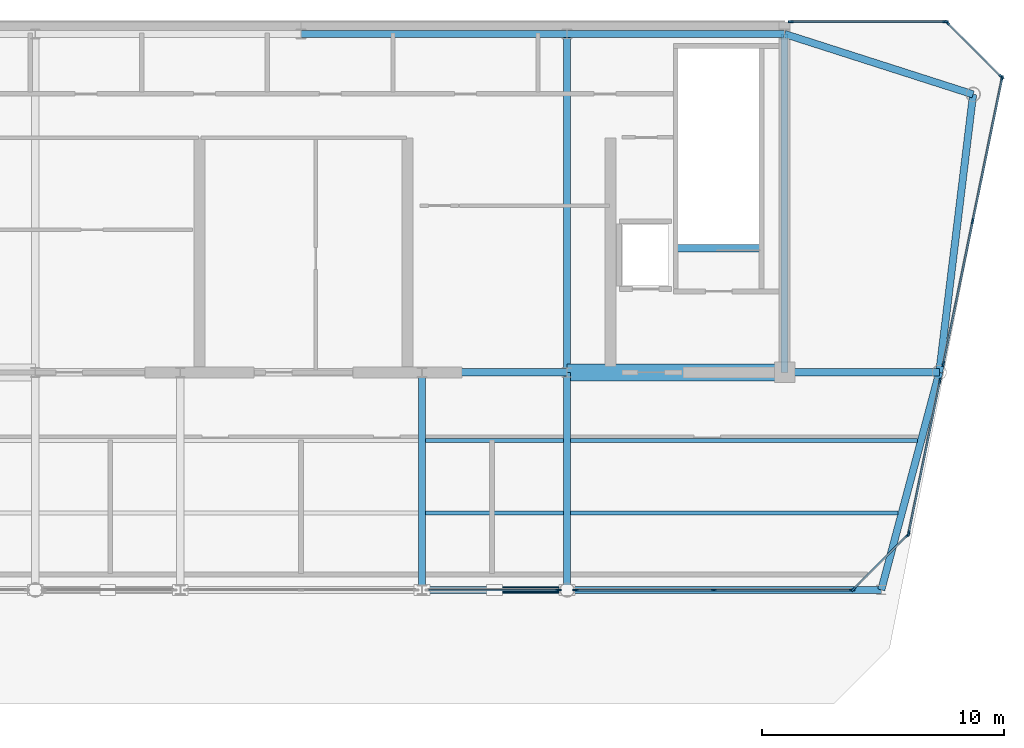
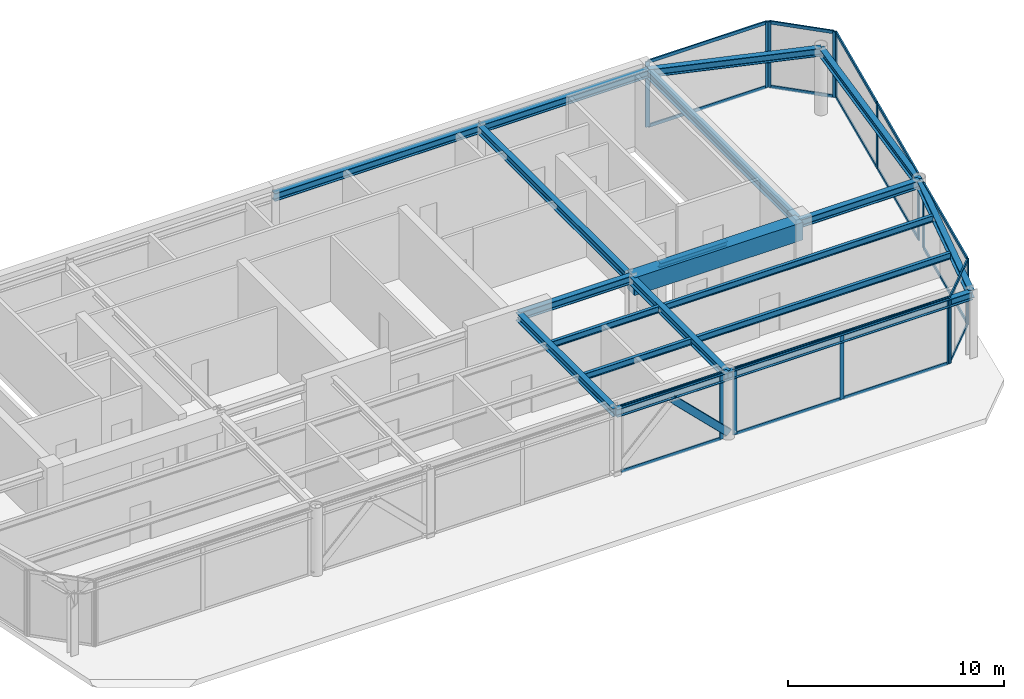
# One storey, part 4 of 7: 34 members, 19 beams, 7 elements without a shape of their own.
"""IFC4 building model written with IfcOpenShell, lengths in metres."""

from ifc_helpers import new_model, si_unit, direction, frame, origin, origin_2d, place, context, subcontext, project, spatial, rectangle, hollow_rectangle, i_section, extrude, source, transform, mapped, material, layer, layer_set, material_profile, profile_set, type_object, element, aggregate, save


model = new_model("IFC4")

# Units and contexts
model_context = context("Model", 3, precision=1e-05, world=origin(), true_north=direction((0.0, 1.0)))
body_context = subcontext(model_context, "Body", "Model", "MODEL_VIEW")
ifc_project = project(units=[si_unit("LENGTHUNIT", "METRE"), si_unit("AREAUNIT", "SQUARE_METRE"), si_unit("VOLUMEUNIT", "CUBIC_METRE"), si_unit("PLANEANGLEUNIT", "RADIAN"), si_unit("MASSUNIT", "GRAM", prefix="KILO")], contexts=[model_context])

# Site, building, storey
site_placement = place(None, origin())
site = spatial("IfcSite", under=ifc_project, at=site_placement, CompositionType="ELEMENT")
building_placement = place(site_placement, origin())
building = spatial("IfcBuilding", under=site, at=building_placement, Name="Vaeldorn Concourse Tower", CompositionType="ELEMENT")
storey_placement = place(building_placement, frame((0.0, 0.0, 312.800048828125)))
storey = spatial("IfcBuildingStorey", under=building, at=storey_placement, Name="L80", CompositionType="ELEMENT", Elevation=312.800048828125)

# Beams
ifc_material_1 = material(Name="Concrete C50/60", Category="concrete")
ifc_material_profile_1 = material_profile(ifc_material_1, rectangle(XDim=0.699951171875, YDim=1.0, at=origin_2d()), Name="RC 700x1000")
ifc_profile_set_1 = profile_set([ifc_material_profile_1], Name="Concrete C50/60")
beam_type_1 = type_object("IfcBeamType", Name="BM-CB-RC700", PredefinedType="BEAM", material=ifc_profile_set_1)
shared_shape_1 = source(origin(), body_context, "Body", "SweptSolid", [
    extrude(rectangle(XDim=0.699951171875, YDim=1.0, at=origin_2d()), origin(), (0.0, 0.0, 1.0), 9.0),
])
beam_1_placement = place(storey_placement, frame((45.0, 36.5, 3.199951171875), z_axis=(1.0, 0.0, 0.0), x_axis=(0.0, 1.0, 0.0)))
element("IfcBeam", 1, at=beam_1_placement, inside=storey, type_object=beam_type_1, Name="Core Coupling Beam L80-2", PredefinedType="BEAM", context=body_context, shape_type="MappedRepresentation", body=[
    mapped(shared_shape_1, transform((0.0, 0.0, 0.0), scale=1.0)),
])
ifc_material_2 = material(Name="Steel S355", Category="steel")
ifc_material_profile_2 = material_profile(ifc_material_2, i_section(OverallWidth=0.300048828125, OverallDepth=0.449951171875, WebThickness=0.013916015625, FlangeThickness=0.02587890625, FilletRadius=0.027099609375, at=origin_2d()), Name="HEB 450")
ifc_profile_set_2 = profile_set([ifc_material_profile_2], Name="Steel S355")
beam_type_2 = type_object("IfcBeamType", Name="BM-PG-HEB450", PredefinedType="BEAM", material=ifc_profile_set_2)
shared_shape_2 = source(origin(), body_context, "Body", "SweptSolid", [
    extrude(i_section(OverallWidth=0.300048828125, OverallDepth=0.449951171875, WebThickness=0.013916015625, FlangeThickness=0.02587890625, FilletRadius=0.027099609375, at=origin_2d()), origin(), (0.0, 0.0, 1.0), 6.0),
])
for number, where, z_axis, x_axis, name in (
    (2, (39.0, 36.5, 3.474853515625), (1.0, 0.0, 0.0), (0.0, 1.0, 0.0), "Beam BM-L80-C-FC4-C-FC5"),
    (3, (39.0, 27.5, 3.474853515625), (1.0, 0.0, 0.0), (0.0, 1.0, 0.0), "Beam BM-L80-C-TW3-C-TW4"),
):
    element("IfcBeam", number, at=place(storey_placement, frame(where, z_axis=z_axis, x_axis=x_axis)), inside=storey, type_object=beam_type_2, Name=name, PredefinedType="BEAM", context=body_context, shape_type="MappedRepresentation", body=[
        mapped(shared_shape_2, transform((0.0, 0.0, 0.0), scale=1.0)),
    ])
shared_shape_3 = source(origin(), body_context, "Body", "SweptSolid", [
    extrude(i_section(OverallWidth=0.300048828125, OverallDepth=0.449951171875, WebThickness=0.013916015625, FlangeThickness=0.02587890625, FilletRadius=0.027099609375, at=origin_2d()), origin(), (0.0, 0.0, 1.0), 11.0),
])
beam_2_placement = place(storey_placement, frame((34.0, 50.5, 3.474853515625), z_axis=(1.0, 0.0, 0.0), x_axis=(0.0, 1.0, 0.0)))
element("IfcBeam", 4, at=beam_2_placement, inside=storey, type_object=beam_type_2, Name="Beam BM-L80-C-HC3-C-HC4", PredefinedType="BEAM", context=body_context, shape_type="MappedRepresentation", body=[
    mapped(shared_shape_3, transform((0.0, 0.0, 0.0), scale=1.0)),
])
ifc_material_profile_3 = material_profile(ifc_material_2, i_section(OverallWidth=0.300048828125, OverallDepth=0.340087890625, WebThickness=0.011962890625, FlangeThickness=0.021484375, FilletRadius=0.027099609375, at=origin_2d()), Name="HEB 340")
ifc_profile_set_3 = profile_set([ifc_material_profile_3], Name="Steel S355")
beam_type_3 = type_object("IfcBeamType", Name="BM-ST-TRIM", PredefinedType="BEAM", material=ifc_profile_set_3)
shared_shape_4 = source(origin(), body_context, "Body", "SweptSolid", [
    extrude(i_section(OverallWidth=0.300048828125, OverallDepth=0.340087890625, WebThickness=0.011962890625, FlangeThickness=0.021484375, FilletRadius=0.027099609375, at=origin_2d()), origin(), (0.0, 0.0, 1.0), 3.590087890625),
])
beam_3_placement = place(storey_placement, frame((49.47998046875, 41.639892578125, -0.469970703125), z_axis=(1.0, 0.0, 0.0), x_axis=(0.0, 1.0, 0.0)))
element("IfcBeam", 5, at=beam_3_placement, inside=storey, type_object=beam_type_3, Name="Stair Landing Trimmer Beam ST-2 L80", PredefinedType="BEAM", context=body_context, shape_type="MappedRepresentation", body=[
    mapped(shared_shape_4, transform((0.0, 0.0, 0.0), scale=1.0)),
])
ifc_material_profile_4 = material_profile(ifc_material_2, i_section(OverallWidth=0.169921875, OverallDepth=0.360107421875, WebThickness=0.008056640625, FlangeThickness=0.0126953125, FilletRadius=0.01806640625, at=origin_2d()), Name="IPE 360")
ifc_profile_set_4 = profile_set([ifc_material_profile_4], Name="Steel S355")
beam_type_4 = type_object("IfcBeamType", Name="BM-JS-IPE360", PredefinedType="JOIST", material=ifc_profile_set_4)
shared_shape_5 = source(origin(), body_context, "Body", "SweptSolid", [
    extrude(i_section(OverallWidth=0.169921875, OverallDepth=0.360107421875, WebThickness=0.008056640625, FlangeThickness=0.0126953125, FilletRadius=0.01806640625, at=origin_2d()), origin(), (0.0, 0.0, 1.0), 5.7001953125),
])
for number, where, z_axis, x_axis, name in (
    (6, (39.14990234375, 30.679931640625, 3.52001953125), (1.0, 0.0, 0.0), (0.0, 1.0, 0.0), "Beam JS-L80-E2-306"),
    (7, (39.14990234375, 33.679931640625, 3.52001953125), (1.0, 0.0, 0.0), (0.0, 1.0, 0.0), "Beam JS-L80-E2-336"),
):
    element("IfcBeam", number, at=place(storey_placement, frame(where, z_axis=z_axis, x_axis=x_axis)), inside=storey, type_object=beam_type_4, Name=name, PredefinedType="JOIST", context=body_context, shape_type="MappedRepresentation", body=[
        mapped(shared_shape_5, transform((0.0, 0.0, 0.0), scale=1.0)),
    ])
shared_shape_6 = source(origin(), body_context, "Body", "SweptSolid", [
    extrude(i_section(OverallWidth=0.169921875, OverallDepth=0.360107421875, WebThickness=0.008056640625, FlangeThickness=0.0126953125, FilletRadius=0.01806640625, at=origin_2d()), origin(), (0.0, 0.0, 1.0), 13.548095703125),
])
beam_4_placement = place(storey_placement, frame((45.14990234375, 30.679931640625, 3.52001953125), z_axis=(1.0, 0.0, 0.0), x_axis=(0.0, 1.0, 0.0)))
element("IfcBeam", 8, at=beam_4_placement, inside=storey, type_object=beam_type_4, Name="Beam JS-L80-E1-306", PredefinedType="JOIST", context=body_context, shape_type="MappedRepresentation", body=[
    mapped(shared_shape_6, transform((0.0, 0.0, 0.0), scale=1.0)),
])
shared_shape_7 = source(origin(), body_context, "Body", "SweptSolid", [
    extrude(i_section(OverallWidth=0.169921875, OverallDepth=0.360107421875, WebThickness=0.008056640625, FlangeThickness=0.0126953125, FilletRadius=0.01806640625, at=origin_2d()), origin(), (0.0, 0.0, 1.0), 14.34814453125),
])
beam_5_placement = place(storey_placement, frame((45.14990234375, 33.679931640625, 3.52001953125), z_axis=(1.0, 0.0, 0.0), x_axis=(0.0, 1.0, 0.0)))
element("IfcBeam", 9, at=beam_5_placement, inside=storey, type_object=beam_type_4, Name="Beam JS-L80-E1-336", PredefinedType="JOIST", context=body_context, shape_type="MappedRepresentation", body=[
    mapped(shared_shape_7, transform((0.0, 0.0, 0.0), scale=1.0)),
])
shared_shape_8 = source(origin(), body_context, "Body", "SweptSolid", [
    extrude(i_section(OverallWidth=0.300048828125, OverallDepth=0.449951171875, WebThickness=0.013916015625, FlangeThickness=0.02587890625, FilletRadius=0.027099609375, at=origin_2d()), origin(), (0.0, 0.0, 1.0), 9.0),
])
for number, where, z_axis, x_axis, name in (
    (10, (45.0, 50.5, 3.474853515625), (1.0, 0.0, 0.0), (0.0, 1.0, 0.0), "Beam BM-L80-C-HC4-C-HC5"),
    (11, (39.0, 27.5, 3.474853515625), (0.0, 1.0, 0.0), (-1.0, 0.0, 0.0), "Beam BM-L80-C-TW3-C-FC4"),
    (12, (45.0, 27.5, 3.474853515625), (0.0, 1.0, 0.0), (-1.0, 0.0, 0.0), "Beam BM-L80-C-TW4-C-FC5"),
):
    element("IfcBeam", number, at=place(storey_placement, frame(where, z_axis=z_axis, x_axis=x_axis)), inside=storey, type_object=beam_type_2, Name=name, PredefinedType="BEAM", context=body_context, shape_type="MappedRepresentation", body=[
        mapped(shared_shape_8, transform((0.0, 0.0, 0.0), scale=1.0)),
    ])
shared_shape_9 = source(origin(), body_context, "Body", "SweptSolid", [
    extrude(i_section(OverallWidth=0.300048828125, OverallDepth=0.449951171875, WebThickness=0.013916015625, FlangeThickness=0.02587890625, FilletRadius=0.027099609375, at=origin_2d()), origin(), (0.0, 0.0, 1.0), 14.0),
])
for number, where, z_axis, x_axis, name in (
    (13, (45.0, 36.5, 3.474853515625), (0.0, 1.0, 0.0), (-1.0, 0.0, 0.0), "Beam BM-L80-C-FC5-C-HC4"),
    (14, (54.0, 36.5, 3.474853515625), (0.0, 1.0, 0.0), (-1.0, 0.0, 0.0), "Beam BM-L80-C-FC6-C-HC5"),
):
    element("IfcBeam", number, at=place(storey_placement, frame(where, z_axis=z_axis, x_axis=x_axis)), inside=storey, type_object=beam_type_2, Name=name, PredefinedType="BEAM", context=body_context, shape_type="MappedRepresentation", body=[
        mapped(shared_shape_9, transform((0.0, 0.0, 0.0), scale=1.0)),
    ])
shared_shape_10 = source(origin(), body_context, "Body", "SweptSolid", [
    extrude(i_section(OverallWidth=0.300048828125, OverallDepth=0.449951171875, WebThickness=0.013916015625, FlangeThickness=0.02587890625, FilletRadius=0.027099609375, at=origin_2d()), origin(), (0.0, 0.0, 1.0), 8.19091796875),
])
beam_6_placement = place(storey_placement, frame((54.0, 50.5, 3.474853515625), z_axis=(0.952282843383, -0.305216949396, 0.0), x_axis=(0.305216949396, 0.952282843383, 0.0)))
element("IfcBeam", 15, at=beam_6_placement, inside=storey, type_object=beam_type_2, Name="Beam BM-L80-C-HC5-C-NE1", PredefinedType="BEAM", context=body_context, shape_type="MappedRepresentation", body=[
    mapped(shared_shape_10, transform((0.0, 0.0, 0.0), scale=1.0)),
])
shared_shape_11 = source(origin(), body_context, "Body", "SweptSolid", [
    extrude(i_section(OverallWidth=0.300048828125, OverallDepth=0.449951171875, WebThickness=0.013916015625, FlangeThickness=0.02587890625, FilletRadius=0.027099609375, at=origin_2d()), origin(), (0.0, 0.0, 1.0), 11.5849609375),
])
beam_7_placement = place(storey_placement, frame((61.800048828125, 48.0, 3.474853515625), z_axis=(-0.120859382899, -0.992669637677, 0.0), x_axis=(0.992669637677, -0.120859382899, 0.0)))
element("IfcBeam", 16, at=beam_7_placement, inside=storey, type_object=beam_type_2, Name="Beam BM-L80-C-NE1-C-NE2", PredefinedType="BEAM", context=body_context, shape_type="MappedRepresentation", body=[
    mapped(shared_shape_11, transform((0.0, 0.0, 0.0), scale=1.0)),
])
shared_shape_12 = source(origin(), body_context, "Body", "SweptSolid", [
    extrude(i_section(OverallWidth=0.300048828125, OverallDepth=0.449951171875, WebThickness=0.013916015625, FlangeThickness=0.02587890625, FilletRadius=0.027099609375, at=origin_2d()), origin(), (0.0, 0.0, 1.0), 6.39990234375),
])
beam_8_placement = place(storey_placement, frame((54.0, 36.5, 3.474853515625), z_axis=(1.0, 0.0, 0.0), x_axis=(0.0, 1.0, 0.0)))
element("IfcBeam", 17, at=beam_8_placement, inside=storey, type_object=beam_type_2, Name="Beam BM-L80-C-FC6-C-NE2", PredefinedType="BEAM", context=body_context, shape_type="MappedRepresentation", body=[
    mapped(shared_shape_12, transform((0.0, 0.0, 0.0), scale=1.0)),
])
shared_shape_13 = source(origin(), body_context, "Body", "SweptSolid", [
    extrude(i_section(OverallWidth=0.300048828125, OverallDepth=0.449951171875, WebThickness=0.013916015625, FlangeThickness=0.02587890625, FilletRadius=0.027099609375, at=origin_2d()), origin(), (0.0, 0.0, 1.0), 9.314453125),
])
beam_9_placement = place(storey_placement, frame((60.39990234375, 36.5, 3.474853515625), z_axis=(-0.257652862255, -0.966237549763, 0.0), x_axis=(0.966237549763, -0.257652862255, 0.0)))
element("IfcBeam", 18, at=beam_9_placement, inside=storey, type_object=beam_type_2, Name="Beam BM-L80-C-NE2-C-FLE1", PredefinedType="BEAM", context=body_context, shape_type="MappedRepresentation", body=[
    mapped(shared_shape_13, transform((0.0, 0.0, 0.0), scale=1.0)),
])
shared_shape_14 = source(origin(), body_context, "Body", "SweptSolid", [
    extrude(i_section(OverallWidth=0.300048828125, OverallDepth=0.449951171875, WebThickness=0.013916015625, FlangeThickness=0.02587890625, FilletRadius=0.027099609375, at=origin_2d()), origin(), (0.0, 0.0, 1.0), 13.0),
])
beam_10_placement = place(storey_placement, frame((45.0, 27.5, 3.474853515625), z_axis=(1.0, 0.0, 0.0), x_axis=(0.0, 1.0, 0.0)))
element("IfcBeam", 19, at=beam_10_placement, inside=storey, type_object=beam_type_2, Name="Beam BM-L80-C-TW4-C-FLE1", PredefinedType="BEAM", context=body_context, shape_type="MappedRepresentation", body=[
    mapped(shared_shape_14, transform((0.0, 0.0, 0.0), scale=1.0)),
])

# Member
ifc_material_profile_5 = material_profile(ifc_material_2, hollow_rectangle(XDim=0.199951171875, YDim=0.39990234375, WallThickness=0.01611328125, InnerFilletRadius=0.01611328125, OuterFilletRadius=0.031982421875, at=origin_2d()), Name="RHS 400x200x16")
ifc_profile_set_5 = profile_set([ifc_material_profile_5], Name="Steel S355")
member_type_1 = type_object("IfcMemberType", Name="MB-CRN-STRUT", PredefinedType="STRUT", material=ifc_profile_set_5)
shared_shape_15 = source(origin(), body_context, "Body", "SweptSolid", [
    extrude(hollow_rectangle(XDim=0.199951171875, YDim=0.39990234375, WallThickness=0.01611328125, InnerFilletRadius=0.01611328125, OuterFilletRadius=0.031982421875, at=origin_2d()), origin(), (0.0, 0.0, 1.0), 4.20751953125),
])
member_1_placement = place(storey_placement, frame((45.0, 27.5, 0.25), z_axis=(-0.713029481615, 0.0, 0.701134051624), x_axis=(0.0, -1.0, 0.0)))
element("IfcMember", 20, at=member_1_placement, inside=storey, type_object=member_type_1, Name="Crown Frame Brace Strut L80-2B", PredefinedType="STRUT", context=body_context, shape_type="MappedRepresentation", body=[
    mapped(shared_shape_15, transform((0.0, 0.0, 0.0), scale=1.0)),
])

# Curtain wall, members
ifc_material_3 = material(Name="Anodised Bronze Aluminium", Category="aluminium")
ifc_layer = layer(ifc_material_3, 0.22998046875)
ifc_layer_set = layer_set([ifc_layer], Name="Anodised Bronze Aluminium")
curtain_wall_type = type_object("IfcCurtainWallType", Name="CW-SYS-07", PredefinedType="NOTDEFINED", material=ifc_layer_set)
curtain_wall_1_placement = place(storey_placement, origin())
curtain_wall_1 = element("IfcCurtainWall", 21, at=curtain_wall_1_placement, inside=storey, type_object=curtain_wall_type, Name="Unitised Curtain Wall CW-L80-E02-1", PredefinedType="NOTDEFINED")
ifc_material_profile_6 = material_profile(ifc_material_3, rectangle(XDim=0.074951171875, YDim=0.179931640625, at=origin_2d()), Name="CWT 75x180")
ifc_profile_set_6 = profile_set([ifc_material_profile_6], Name="Anodised Bronze Aluminium")
member_type_2 = type_object("IfcMemberType", Name="CWT-BRONZE-180", PredefinedType="USERDEFINED", material=ifc_profile_set_6)
shared_shape_16 = source(origin(), body_context, "Body", "SweptSolid", [
    extrude(rectangle(XDim=0.074951171875, YDim=0.179931640625, at=origin_2d()), origin(), (0.0, 0.0, 1.0), 3.10302734375),
])
member_2_placement = place(storey_placement, frame((56.87548828125, 27.552978515625, 0.037353515625), z_axis=(0.707106781187, 0.707106781187, 0.0), x_axis=(-0.707106781187, 0.707106781187, 0.0)))
member_2 = element("IfcMember", 22, at=member_2_placement, type_object=member_type_2, Name="CW-07 transom 1.1", ObjectType="TRANSOM", PredefinedType="USERDEFINED", context=body_context, shape_type="MappedRepresentation", body=[
    mapped(shared_shape_16, transform((0.0, 0.0, 0.0), scale=1.0)),
])
member_3_placement = place(storey_placement, frame((56.87548828125, 27.552978515625, 3.662353515625), z_axis=(0.707106781187, 0.707106781187, 0.0), x_axis=(-0.707106781187, 0.707106781187, 0.0)))
member_3 = element("IfcMember", 23, at=member_3_placement, type_object=member_type_2, Name="CW-07 transom 1.2", ObjectType="TRANSOM", PredefinedType="USERDEFINED", context=body_context, shape_type="MappedRepresentation", body=[
    mapped(shared_shape_16, transform((0.0, 0.0, 0.0), scale=1.0)),
])

curtain_wall_2_placement = place(storey_placement, origin())
curtain_wall_2 = element("IfcCurtainWall", 24, at=curtain_wall_2_placement, inside=storey, type_object=curtain_wall_type, Name="Unitised Curtain Wall CW-L80-E04-1", PredefinedType="NOTDEFINED")
member_4_placement = place(storey_placement, frame((62.947021484375, 48.7529296875, 0.037353515625), z_axis=(-0.707106781187, 0.707106781187, 0.0), x_axis=(-0.707106781187, -0.707106781187, 0.0)))
member_4 = element("IfcMember", 25, at=member_4_placement, type_object=member_type_2, Name="CW-07 transom 1.1", ObjectType="TRANSOM", PredefinedType="USERDEFINED", context=body_context, shape_type="MappedRepresentation", body=[
    mapped(shared_shape_16, transform((0.0, 0.0, 0.0), scale=1.0)),
])
member_5_placement = place(storey_placement, frame((62.947021484375, 48.7529296875, 3.662353515625), z_axis=(-0.707106781187, 0.707106781187, 0.0), x_axis=(-0.707106781187, -0.707106781187, 0.0)))
member_5 = element("IfcMember", 26, at=member_5_placement, type_object=member_type_2, Name="CW-07 transom 1.2", ObjectType="TRANSOM", PredefinedType="USERDEFINED", context=body_context, shape_type="MappedRepresentation", body=[
    mapped(shared_shape_16, transform((0.0, 0.0, 0.0), scale=1.0)),
])

curtain_wall_3_placement = place(storey_placement, origin())
curtain_wall_3 = element("IfcCurtainWall", 27, at=curtain_wall_3_placement, inside=storey, type_object=curtain_wall_type, Name="Unitised Curtain Wall CW-L80-E05-1", PredefinedType="NOTDEFINED")
shared_shape_17 = source(origin(), body_context, "Body", "SweptSolid", [
    extrude(rectangle(XDim=0.074951171875, YDim=0.179931640625, at=origin_2d()), origin(), (0.0, 0.0, 1.0), 6.330078125),
])
member_6_placement = place(storey_placement, frame((60.625, 51.0, 0.037353515625), z_axis=(-1.0, 0.0, 0.0), x_axis=(0.0, -1.0, 0.0)))
member_6 = element("IfcMember", 28, at=member_6_placement, type_object=member_type_2, Name="CW-07 transom 1.1", ObjectType="TRANSOM", PredefinedType="USERDEFINED", context=body_context, shape_type="MappedRepresentation", body=[
    mapped(shared_shape_17, transform((0.0, 0.0, 0.0), scale=1.0)),
])
member_7_placement = place(storey_placement, frame((60.625, 51.0, 3.662353515625), z_axis=(-1.0, 0.0, 0.0), x_axis=(0.0, -1.0, 0.0)))
member_7 = element("IfcMember", 29, at=member_7_placement, type_object=member_type_2, Name="CW-07 transom 1.2", ObjectType="TRANSOM", PredefinedType="USERDEFINED", context=body_context, shape_type="MappedRepresentation", body=[
    mapped(shared_shape_17, transform((0.0, 0.0, 0.0), scale=1.0)),
])

# Curtain wall, member
curtain_wall_4_placement = place(storey_placement, origin())
curtain_wall_4 = element("IfcCurtainWall", 30, at=curtain_wall_4_placement, inside=storey, type_object=curtain_wall_type, Name="Unitised Curtain Wall CW-L80-E01-4", PredefinedType="NOTDEFINED")
ifc_material_profile_7 = material_profile(ifc_material_3, rectangle(XDim=0.074951171875, YDim=0.219970703125, at=origin_2d()), Name="CWM 75x220")
ifc_profile_set_7 = profile_set([ifc_material_profile_7], Name="Anodised Bronze Aluminium")
member_type_3 = type_object("IfcMemberType", Name="CWM-BRONZE-220", PredefinedType="MULLION", material=ifc_profile_set_7)
shared_shape_18 = source(origin(), body_context, "Body", "SweptSolid", [
    extrude(rectangle(XDim=0.074951171875, YDim=0.219970703125, at=origin_2d()), origin(), (0.0, 0.0, 1.0), 3.699951171875),
])
member_8_placement = place(storey_placement, frame((44.6474609375, 27.5, 0.0), z_axis=(0.0, 0.0, 1.0), x_axis=(0.0, 1.0, 0.0)))
member_8 = element("IfcMember", 31, at=member_8_placement, type_object=member_type_3, Name="CW-07 mullion 2", PredefinedType="MULLION", context=body_context, shape_type="MappedRepresentation", body=[
    mapped(shared_shape_18, transform((0.0, 0.0, 0.0), scale=1.0)),
])

# Curtain wall, members
curtain_wall_5_placement = place(storey_placement, origin())
curtain_wall_5 = element("IfcCurtainWall", 32, at=curtain_wall_5_placement, inside=storey, type_object=curtain_wall_type, Name="Unitised Curtain Wall CW-L80-E01-5", PredefinedType="NOTDEFINED")
member_9_placement = place(storey_placement, frame((45.3525390625, 27.5, 0.0), z_axis=(0.0, 0.0, 1.0), x_axis=(0.0, 1.0, 0.0)))
member_9 = element("IfcMember", 33, at=member_9_placement, type_object=member_type_3, Name="CW-07 mullion 1", PredefinedType="MULLION", context=body_context, shape_type="MappedRepresentation", body=[
    mapped(shared_shape_18, transform((0.0, 0.0, 0.0), scale=1.0)),
])
member_10_placement = place(storey_placement, frame((51.06884765625, 27.5, 0.0), z_axis=(0.0, 0.0, 1.0), x_axis=(0.0, 1.0, 0.0)))
member_10 = element("IfcMember", 34, at=member_10_placement, type_object=member_type_3, Name="CW-07 mullion 2", PredefinedType="MULLION", context=body_context, shape_type="MappedRepresentation", body=[
    mapped(shared_shape_18, transform((0.0, 0.0, 0.0), scale=1.0)),
])
member_11_placement = place(storey_placement, frame((56.784912109375, 27.5, 0.0), z_axis=(0.0, 0.0, 1.0), x_axis=(0.0, 1.0, 0.0)))
member_11 = element("IfcMember", 35, at=member_11_placement, type_object=member_type_3, Name="CW-07 mullion 3", PredefinedType="MULLION", context=body_context, shape_type="MappedRepresentation", body=[
    mapped(shared_shape_18, transform((0.0, 0.0, 0.0), scale=1.0)),
])

# Member
member_12_placement = place(storey_placement, frame((56.84912109375, 27.526611328125, 0.0), z_axis=(0.0, 0.0, 1.0), x_axis=(-0.707106781187, 0.707106781187, 0.0)))
member_12 = element("IfcMember", 36, at=member_12_placement, type_object=member_type_3, Name="CW-07 mullion 1", PredefinedType="MULLION", context=body_context, shape_type="MappedRepresentation", body=[
    mapped(shared_shape_18, transform((0.0, 0.0, 0.0), scale=1.0)),
])

member_13_placement = place(storey_placement, frame((59.095947265625, 29.7734375, 0.0), z_axis=(0.0, 0.0, 1.0), x_axis=(-0.707106781187, 0.707106781187, 0.0)))
member_13 = element("IfcMember", 37, at=member_13_placement, type_object=member_type_3, Name="CW-07 mullion 2", PredefinedType="MULLION", context=body_context, shape_type="MappedRepresentation", body=[
    mapped(shared_shape_18, transform((0.0, 0.0, 0.0), scale=1.0)),
])

aggregate(curtain_wall_1, [member_12, member_13, member_2, member_3])

# Curtain wall, members
curtain_wall_6_placement = place(storey_placement, origin())
curtain_wall_6 = element("IfcCurtainWall", 38, at=curtain_wall_6_placement, inside=storey, type_object=curtain_wall_type, Name="Unitised Curtain Wall CW-L80-E03-1", PredefinedType="NOTDEFINED")
member_14_placement = place(storey_placement, frame((59.130126953125, 29.836669921875, 0.0), z_axis=(0.0, 0.0, 1.0), x_axis=(-0.979597976721, 0.200967171457, 0.0)))
member_14 = element("IfcMember", 39, at=member_14_placement, type_object=member_type_3, Name="CW-07 mullion 1", PredefinedType="MULLION", context=body_context, shape_type="MappedRepresentation", body=[
    mapped(shared_shape_18, transform((0.0, 0.0, 0.0), scale=1.0)),
])
member_15_placement = place(storey_placement, frame((60.4248046875, 36.148193359375, 0.0), z_axis=(0.0, 0.0, 1.0), x_axis=(-0.979597976721, 0.200967171457, 0.0)))
member_15 = element("IfcMember", 40, at=member_15_placement, type_object=member_type_3, Name="CW-07 mullion 2", PredefinedType="MULLION", context=body_context, shape_type="MappedRepresentation", body=[
    mapped(shared_shape_18, transform((0.0, 0.0, 0.0), scale=1.0)),
])

curtain_wall_7_placement = place(storey_placement, origin())
curtain_wall_7 = element("IfcCurtainWall", 41, at=curtain_wall_7_placement, inside=storey, type_object=curtain_wall_type, Name="Unitised Curtain Wall CW-L80-E03-2", PredefinedType="NOTDEFINED")
member_16_placement = place(storey_placement, frame((60.5693359375, 36.851806640625, 0.0), z_axis=(0.0, 0.0, 1.0), x_axis=(-0.979597000842, 0.20097192824, 0.0)))
member_16 = element("IfcMember", 42, at=member_16_placement, type_object=member_type_3, Name="CW-07 mullion 1", PredefinedType="MULLION", context=body_context, shape_type="MappedRepresentation", body=[
    mapped(shared_shape_18, transform((0.0, 0.0, 0.0), scale=1.0)),
])
member_17_placement = place(storey_placement, frame((61.78076171875, 42.757568359375, 0.0), z_axis=(0.0, 0.0, 1.0), x_axis=(-0.979597000842, 0.20097192824, 0.0)))
member_17 = element("IfcMember", 43, at=member_17_placement, type_object=member_type_3, Name="CW-07 mullion 2", PredefinedType="MULLION", context=body_context, shape_type="MappedRepresentation", body=[
    mapped(shared_shape_18, transform((0.0, 0.0, 0.0), scale=1.0)),
])
member_18_placement = place(storey_placement, frame((62.992431640625, 48.663330078125, 0.0), z_axis=(0.0, 0.0, 1.0), x_axis=(-0.979597000842, 0.20097192824, 0.0)))
member_18 = element("IfcMember", 44, at=member_18_placement, type_object=member_type_3, Name="CW-07 mullion 3", PredefinedType="MULLION", context=body_context, shape_type="MappedRepresentation", body=[
    mapped(shared_shape_18, transform((0.0, 0.0, 0.0), scale=1.0)),
])

# Member
member_19_placement = place(storey_placement, frame((62.973388671875, 48.7265625, 0.0), z_axis=(0.0, 0.0, 1.0), x_axis=(-0.707106781187, -0.707106781187, 0.0)))
member_19 = element("IfcMember", 45, at=member_19_placement, type_object=member_type_3, Name="CW-07 mullion 1", PredefinedType="MULLION", context=body_context, shape_type="MappedRepresentation", body=[
    mapped(shared_shape_18, transform((0.0, 0.0, 0.0), scale=1.0)),
])

member_20_placement = place(storey_placement, frame((60.7265625, 50.973388671875, 0.0), z_axis=(0.0, 0.0, 1.0), x_axis=(-0.707106781187, -0.707106781187, 0.0)))
member_20 = element("IfcMember", 46, at=member_20_placement, type_object=member_type_3, Name="CW-07 mullion 2", PredefinedType="MULLION", context=body_context, shape_type="MappedRepresentation", body=[
    mapped(shared_shape_18, transform((0.0, 0.0, 0.0), scale=1.0)),
])

aggregate(curtain_wall_2, [member_19, member_20, member_4, member_5])

member_21_placement = place(storey_placement, frame((60.66259765625, 51.0, 0.0), z_axis=(0.0, 0.0, 1.0), x_axis=(0.0, -1.0, 0.0)))
member_21 = element("IfcMember", 47, at=member_21_placement, type_object=member_type_3, Name="CW-07 mullion 1", PredefinedType="MULLION", context=body_context, shape_type="MappedRepresentation", body=[
    mapped(shared_shape_18, transform((0.0, 0.0, 0.0), scale=1.0)),
])

member_22_placement = place(storey_placement, frame((54.257568359375, 51.0, 0.0), z_axis=(0.0, 0.0, 1.0), x_axis=(0.0, -1.0, 0.0)))
member_22 = element("IfcMember", 48, at=member_22_placement, type_object=member_type_3, Name="CW-07 mullion 2", PredefinedType="MULLION", context=body_context, shape_type="MappedRepresentation", body=[
    mapped(shared_shape_18, transform((0.0, 0.0, 0.0), scale=1.0)),
])

aggregate(curtain_wall_3, [member_21, member_22, member_6, member_7])

shared_shape_19 = source(origin(), body_context, "Body", "SweptSolid", [
    extrude(rectangle(XDim=0.074951171875, YDim=0.179931640625, at=origin_2d()), origin(), (0.0, 0.0, 1.0), 5.641357421875),
])
member_23_placement = place(storey_placement, frame((45.389892578125, 27.5, 0.037353515625), z_axis=(1.0, 0.0, 0.0), x_axis=(0.0, 1.0, 0.0)))
member_23 = element("IfcMember", 49, at=member_23_placement, type_object=member_type_2, Name="CW-07 transom 1.1", ObjectType="TRANSOM", PredefinedType="USERDEFINED", context=body_context, shape_type="MappedRepresentation", body=[
    mapped(shared_shape_19, transform((0.0, 0.0, 0.0), scale=1.0)),
])

member_24_placement = place(storey_placement, frame((45.389892578125, 27.5, 3.662353515625), z_axis=(1.0, 0.0, 0.0), x_axis=(0.0, 1.0, 0.0)))
member_24 = element("IfcMember", 50, at=member_24_placement, type_object=member_type_2, Name="CW-07 transom 1.2", ObjectType="TRANSOM", PredefinedType="USERDEFINED", context=body_context, shape_type="MappedRepresentation", body=[
    mapped(shared_shape_19, transform((0.0, 0.0, 0.0), scale=1.0)),
])

member_25_placement = place(storey_placement, frame((51.106201171875, 27.5, 0.037353515625), z_axis=(1.0, 0.0, 0.0), x_axis=(0.0, 1.0, 0.0)))
member_25 = element("IfcMember", 51, at=member_25_placement, type_object=member_type_2, Name="CW-07 transom 2.1", ObjectType="TRANSOM", PredefinedType="USERDEFINED", context=body_context, shape_type="MappedRepresentation", body=[
    mapped(shared_shape_19, transform((0.0, 0.0, 0.0), scale=1.0)),
])

member_26_placement = place(storey_placement, frame((51.106201171875, 27.5, 3.662353515625), z_axis=(1.0, 0.0, 0.0), x_axis=(0.0, 1.0, 0.0)))
member_26 = element("IfcMember", 52, at=member_26_placement, type_object=member_type_2, Name="CW-07 transom 2.2", ObjectType="TRANSOM", PredefinedType="USERDEFINED", context=body_context, shape_type="MappedRepresentation", body=[
    mapped(shared_shape_19, transform((0.0, 0.0, 0.0), scale=1.0)),
])

aggregate(curtain_wall_5, [member_9, member_10, member_11, member_23, member_24, member_25, member_26])

shared_shape_20 = source(origin(), body_context, "Body", "SweptSolid", [
    extrude(rectangle(XDim=0.074951171875, YDim=0.179931640625, at=origin_2d()), origin(), (0.0, 0.0, 1.0), 5.326171875),
])
member_27_placement = place(storey_placement, frame((39.283935546875, 27.5, 0.037353515625), z_axis=(1.0, 0.0, 0.0), x_axis=(0.0, 1.0, 0.0)))
member_27 = element("IfcMember", 53, at=member_27_placement, type_object=member_type_2, Name="CW-07 transom 1.1", ObjectType="TRANSOM", PredefinedType="USERDEFINED", context=body_context, shape_type="MappedRepresentation", body=[
    mapped(shared_shape_20, transform((0.0, 0.0, 0.0), scale=1.0)),
])

member_28_placement = place(storey_placement, frame((39.283935546875, 27.5, 3.662353515625), z_axis=(1.0, 0.0, 0.0), x_axis=(0.0, 1.0, 0.0)))
member_28 = element("IfcMember", 54, at=member_28_placement, type_object=member_type_2, Name="CW-07 transom 1.2", ObjectType="TRANSOM", PredefinedType="USERDEFINED", context=body_context, shape_type="MappedRepresentation", body=[
    mapped(shared_shape_20, transform((0.0, 0.0, 0.0), scale=1.0)),
])

aggregate(curtain_wall_4, [member_8, member_27, member_28])

shared_shape_21 = source(origin(), body_context, "Body", "SweptSolid", [
    extrude(rectangle(XDim=0.074951171875, YDim=0.179931640625, at=origin_2d()), origin(), (0.0, 0.0, 1.0), 6.367919921875),
])
member_29_placement = place(storey_placement, frame((59.137451171875, 29.87353515625, 0.037353515625), z_axis=(0.200972444267, 0.979596894975, 0.0), x_axis=(-0.979596894975, 0.200972444267, 0.0)))
member_29 = element("IfcMember", 55, at=member_29_placement, type_object=member_type_2, Name="CW-07 transom 1.1", ObjectType="TRANSOM", PredefinedType="USERDEFINED", context=body_context, shape_type="MappedRepresentation", body=[
    mapped(shared_shape_21, transform((0.0, 0.0, 0.0), scale=1.0)),
])

member_30_placement = place(storey_placement, frame((59.137451171875, 29.87353515625, 3.662353515625), z_axis=(0.200972444267, 0.979596894975, 0.0), x_axis=(-0.979596894975, 0.200972444267, 0.0)))
member_30 = element("IfcMember", 56, at=member_30_placement, type_object=member_type_2, Name="CW-07 transom 1.2", ObjectType="TRANSOM", PredefinedType="USERDEFINED", context=body_context, shape_type="MappedRepresentation", body=[
    mapped(shared_shape_21, transform((0.0, 0.0, 0.0), scale=1.0)),
])

aggregate(curtain_wall_6, [member_14, member_15, member_29, member_30])

shared_shape_22 = source(origin(), body_context, "Body", "SweptSolid", [
    extrude(rectangle(XDim=0.074951171875, YDim=0.179931640625, at=origin_2d()), origin(), (0.0, 0.0, 1.0), 5.953857421875),
])
member_31_placement = place(storey_placement, frame((60.57666015625, 36.888427734375, 0.037353515625), z_axis=(0.200971386248, 0.979597112036, 0.0), x_axis=(-0.979597112036, 0.200971386248, 0.0)))
member_31 = element("IfcMember", 57, at=member_31_placement, type_object=member_type_2, Name="CW-07 transom 1.1", ObjectType="TRANSOM", PredefinedType="USERDEFINED", context=body_context, shape_type="MappedRepresentation", body=[
    mapped(shared_shape_22, transform((0.0, 0.0, 0.0), scale=1.0)),
])

member_32_placement = place(storey_placement, frame((60.57666015625, 36.888427734375, 3.662353515625), z_axis=(0.200971386248, 0.979597112036, 0.0), x_axis=(-0.979597112036, 0.200971386248, 0.0)))
member_32 = element("IfcMember", 58, at=member_32_placement, type_object=member_type_2, Name="CW-07 transom 1.2", ObjectType="TRANSOM", PredefinedType="USERDEFINED", context=body_context, shape_type="MappedRepresentation", body=[
    mapped(shared_shape_22, transform((0.0, 0.0, 0.0), scale=1.0)),
])

member_33_placement = place(storey_placement, frame((61.788330078125, 42.794189453125, 0.037353515625), z_axis=(0.200971386248, 0.979597112036, 0.0), x_axis=(-0.979597112036, 0.200971386248, 0.0)))
member_33 = element("IfcMember", 59, at=member_33_placement, type_object=member_type_2, Name="CW-07 transom 2.1", ObjectType="TRANSOM", PredefinedType="USERDEFINED", context=body_context, shape_type="MappedRepresentation", body=[
    mapped(shared_shape_22, transform((0.0, 0.0, 0.0), scale=1.0)),
])

member_34_placement = place(storey_placement, frame((61.788330078125, 42.794189453125, 3.662353515625), z_axis=(0.200971386248, 0.979597112036, 0.0), x_axis=(-0.979597112036, 0.200971386248, 0.0)))
member_34 = element("IfcMember", 60, at=member_34_placement, type_object=member_type_2, Name="CW-07 transom 2.2", ObjectType="TRANSOM", PredefinedType="USERDEFINED", context=body_context, shape_type="MappedRepresentation", body=[
    mapped(shared_shape_22, transform((0.0, 0.0, 0.0), scale=1.0)),
])

aggregate(curtain_wall_7, [member_16, member_17, member_18, member_31, member_32, member_33, member_34])

save(model, "model.ifc")
